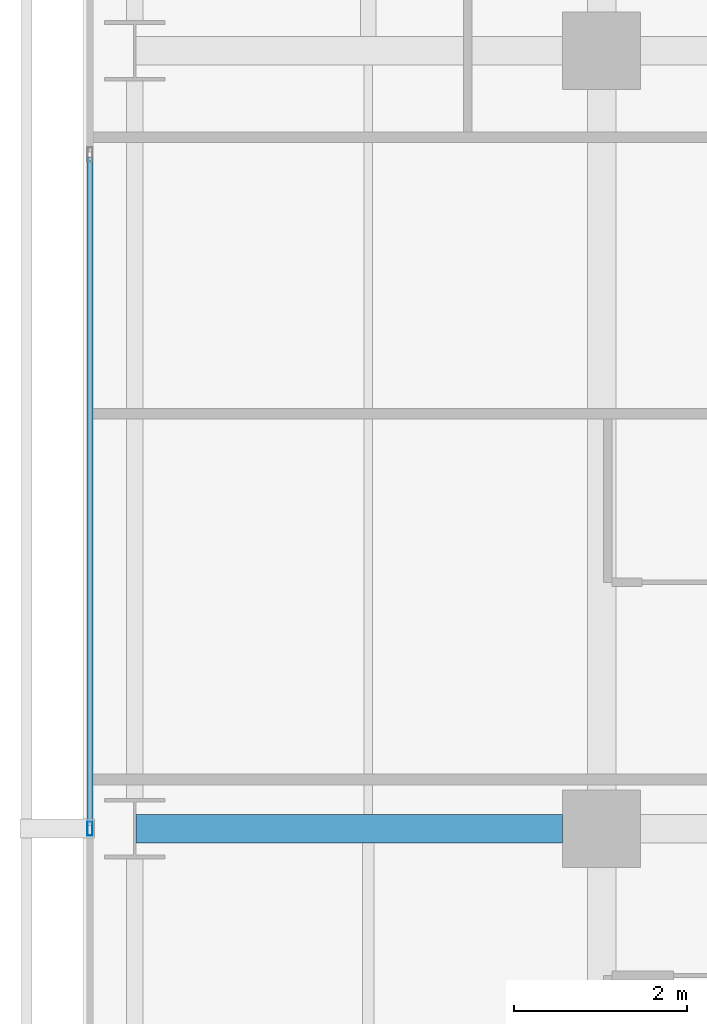
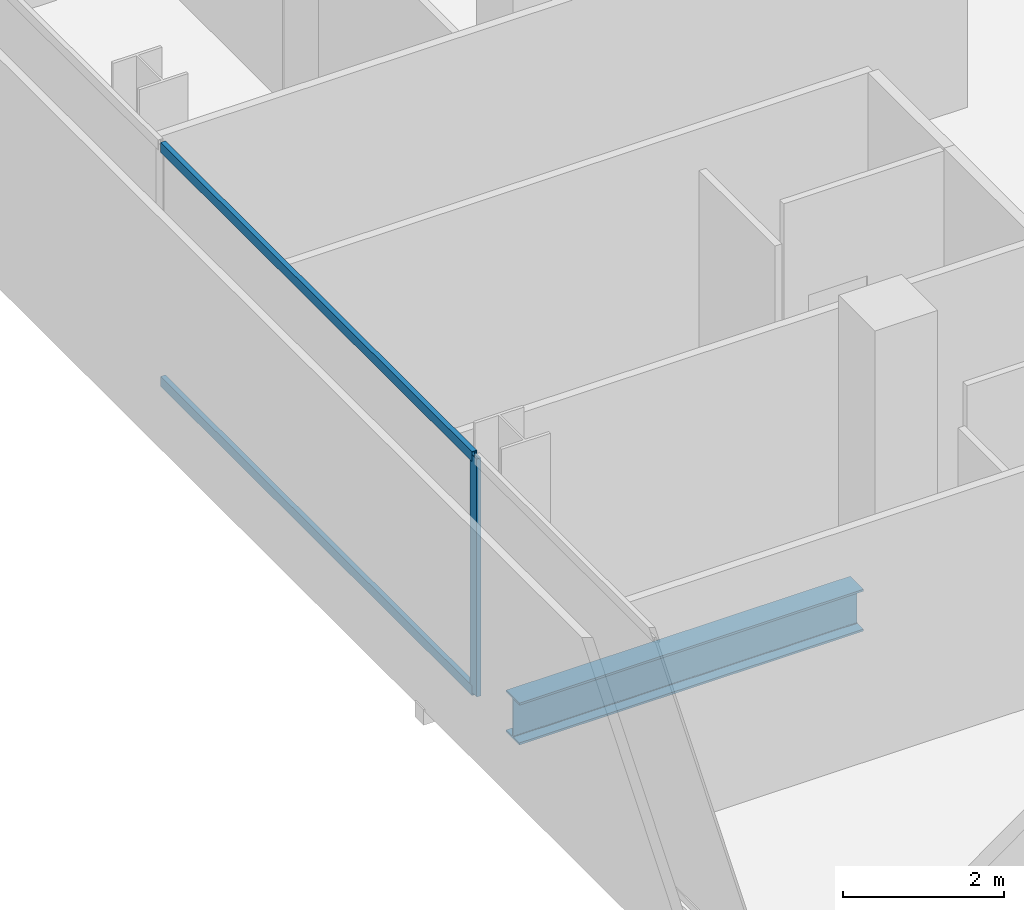
# One storey, part 12 of 40: 3 members, 1 beam, 1 element without a shape of its own.
"""IFC4 building model written with IfcOpenShell, lengths in metres."""

from ifc_helpers import new_model, si_unit, direction, frame, origin, origin_2d, place, context, subcontext, project, spatial, hollow_rectangle, i_section, extrude, material, layer, layer_set, material_profile, profile_set, type_object, element, aggregate, save


model = new_model("IFC4")

# Units and contexts
model_context = context("Model", 3, precision=1e-05, world=origin(), true_north=direction((0.0, 1.0)))
body_context = subcontext(model_context, "Body", "Model", "MODEL_VIEW")
ifc_project = project(units=[si_unit("LENGTHUNIT", "METRE"), si_unit("AREAUNIT", "SQUARE_METRE"), si_unit("VOLUMEUNIT", "CUBIC_METRE"), si_unit("PLANEANGLEUNIT", "RADIAN"), si_unit("MASSUNIT", "GRAM", prefix="KILO")], contexts=[model_context])

# Site, building, storey
site_placement = place(None, origin())
site = spatial("IfcSite", under=ifc_project, at=site_placement, CompositionType="ELEMENT")
building_placement = place(site_placement, origin())
building = spatial("IfcBuilding", under=site, at=building_placement, Name="Maruvema Waterfront Hotel and Observation Tower", CompositionType="ELEMENT")
storey_placement = place(building_placement, frame((0.0, 0.0, 30.800048828125)))
storey = spatial("IfcBuildingStorey", under=building, at=storey_placement, Name="L06", CompositionType="ELEMENT", Elevation=30.800048828125)

# Curtain wall, members
ifc_material_1 = material(Name="Anodised bronze aluminium and solar-control low-E IGU", Category="aluminium")
ifc_layer = layer(ifc_material_1, 0.159912109375, Name="Zone 1 Bronze Inner Thermal Curtain Wall System CW-02")
ifc_layer_set = layer_set([ifc_layer], Name="Anodised bronze aluminium and solar-control low-E IGU")
curtain_wall_type = type_object("IfcCurtainWallType", Name="Zone 1 Bronze Inner Thermal Curtain Wall System CW-02", PredefinedType="USERDEFINED", material=ifc_layer_set)
curtain_wall_placement = place(storey_placement, origin())
curtain_wall = element("IfcCurtainWall", 1, at=curtain_wall_placement, inside=storey, type_object=curtain_wall_type, Name="L06 Curtain Wall CW-L06-W", ObjectType="UNITISED CURTAIN WALL", PredefinedType="USERDEFINED")
ifc_material_2 = material(Name="Anodised architectural bronze aluminium", Category="aluminium")
ifc_material_profile_1 = material_profile(ifc_material_2, hollow_rectangle(XDim=0.070068359375, YDim=0.14990234375, WallThickness=0.00390625, at=origin_2d()), Name="ALU-T70x150")
ifc_profile_set_1 = profile_set([ifc_material_profile_1], Name="Anodised architectural bronze aluminium")
member_type_1 = type_object("IfcMemberType", Name="Curtain Wall Horizontal Transom ALU-T70x150", PredefinedType="USERDEFINED", material=ifc_profile_set_1)
member_1_placement = place(storey_placement, frame((10.8798828125, 34.77001953125, 0.030029296875), z_axis=(0.0, -1.0, 0.0), x_axis=(1.0, 0.0, 0.0)))
member_1 = element("IfcMember", 2, at=member_1_placement, type_object=member_type_1, Name="CW-02 transom 3.1", ObjectType="TRANSOM", PredefinedType="USERDEFINED", context=body_context, shape_type="SweptSolid", body=[
    extrude(hollow_rectangle(XDim=0.070068359375, YDim=0.14990234375, WallThickness=0.00390625, at=origin_2d()), origin(), (0.0, 0.0, 1.0), 7.739990234375),
])
member_2_placement = place(storey_placement, frame((10.8798828125, 34.77001953125, 3.579833984375), z_axis=(0.0, -1.0, 0.0), x_axis=(1.0, 0.0, 0.0)))
member_2 = element("IfcMember", 3, at=member_2_placement, type_object=member_type_1, Name="CW-02 transom 3.2", ObjectType="TRANSOM", PredefinedType="USERDEFINED", context=body_context, shape_type="SweptSolid", body=[
    extrude(hollow_rectangle(XDim=0.070068359375, YDim=0.14990234375, WallThickness=0.00390625, at=origin_2d()), origin(), (0.0, 0.0, 1.0), 7.739990234375),
])
ifc_material_3 = material(Name="Anodised architectural bronze aluminium", Category="aluminium")
ifc_material_profile_2 = material_profile(ifc_material_3, hollow_rectangle(XDim=0.06494140625, YDim=0.1650390625, WallThickness=0.00390625, at=origin_2d()), Name="ALU-M65x165")
ifc_profile_set_2 = profile_set([ifc_material_profile_2], Name="Anodised architectural bronze aluminium")
member_type_2 = type_object("IfcMemberType", Name="Curtain Wall Primary Mullion ALU-M65x165", PredefinedType="MULLION", material=ifc_profile_set_2)
member_3_placement = place(storey_placement, frame((10.8798828125, 27.0, 0.0), z_axis=(0.0, 0.0, 1.0), x_axis=(1.0, 0.0, 0.0)))
member_3 = element("IfcMember", 4, at=member_3_placement, type_object=member_type_2, Name="CW-02 mullion 4", PredefinedType="MULLION", context=body_context, shape_type="SweptSolid", body=[
    extrude(hollow_rectangle(XDim=0.06494140625, YDim=0.1650390625, WallThickness=0.00390625, at=origin_2d()), origin(), (0.0, 0.0, 1.0), 3.60986328125),
])
aggregate(curtain_wall, [member_3, member_1, member_2])

# Beam
ifc_material_4 = material(Name="Steel ASTM A572 Grade 50", Category="steel")
ifc_material_profile_3 = material_profile(ifc_material_4, i_section(OverallWidth=0.3291015625, OverallDepth=0.635009765625, WebThickness=0.017822265625, FlangeThickness=0.031005859375, FilletRadius=0.01806640625, at=origin_2d()), Name="W610x241.0")
ifc_profile_set_3 = profile_set([ifc_material_profile_3], Name="Steel ASTM A572 Grade 50")
beam_type = type_object("IfcBeamType", Name="Primary Floor Girder W610x241.0", PredefinedType="BEAM", material=ifc_profile_set_3)
beam_placement = place(storey_placement, frame((11.4140625, 27.0, -0.5576171875), z_axis=(1.0, 0.0, 0.0), x_axis=(0.0, 1.0, 0.0)))
element("IfcBeam", 5, at=beam_placement, inside=storey, type_object=beam_type, Name="L06 Floor Girder EW-20", PredefinedType="BEAM", context=body_context, shape_type="SweptSolid", body=[
    extrude(i_section(OverallWidth=0.3291015625, OverallDepth=0.635009765625, WebThickness=0.017822265625, FlangeThickness=0.031005859375, FilletRadius=0.01806640625, at=origin_2d()), origin(), (0.0, 0.0, 1.0), 4.93603515625),
])

save(model, "model.ifc")
